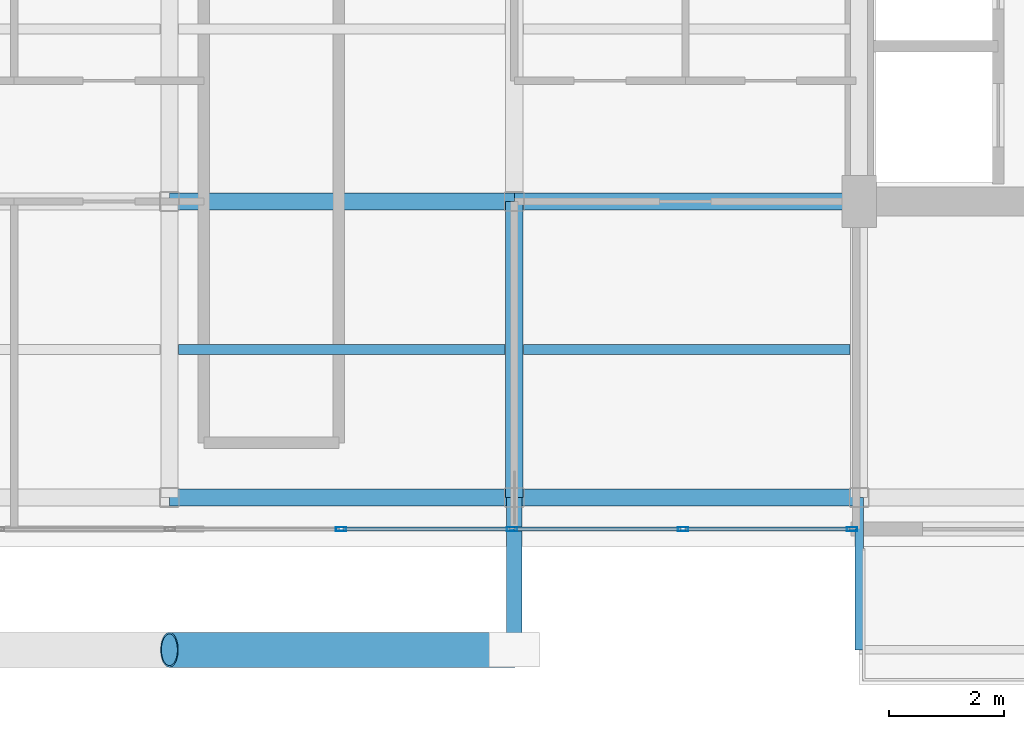
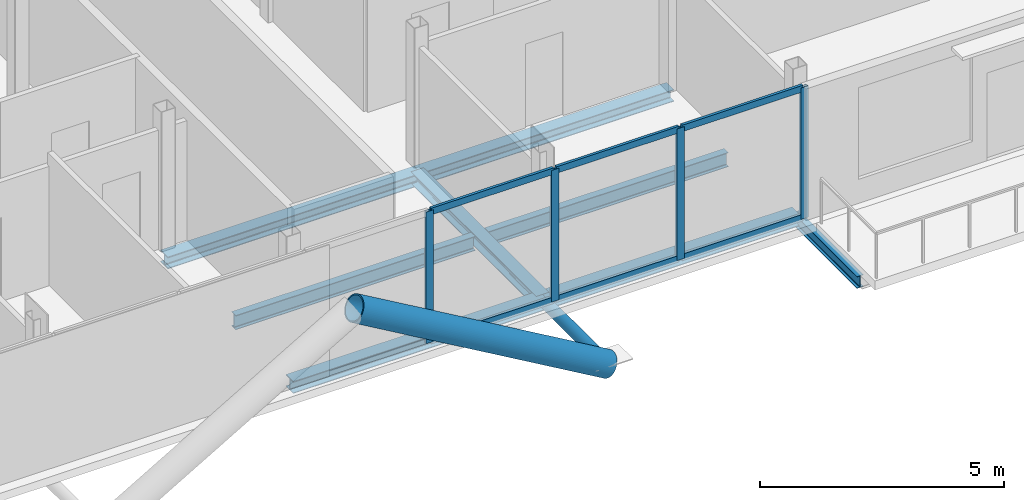
# One storey, part 5 of 19: 12 members, 8 beams, 1 element without a shape of its own.
"""IFC4 building model written with IfcOpenShell, lengths in metres."""

from ifc_helpers import new_model, si_unit, direction, frame, origin, origin_2d, place, context, subcontext, project, spatial, hollow_rectangle, hollow_circle, i_section, extrude, material, layer, layer_set, material_profile, profile_set, type_object, element, aggregate, save


model = new_model("IFC4")

# Units and contexts
model_context = context("Model", 3, precision=1e-05, world=origin(), true_north=direction((0.0, 1.0)))
body_context = subcontext(model_context, "Body", "Model", "MODEL_VIEW")
ifc_project = project(units=[si_unit("LENGTHUNIT", "METRE"), si_unit("AREAUNIT", "SQUARE_METRE"), si_unit("VOLUMEUNIT", "CUBIC_METRE"), si_unit("PLANEANGLEUNIT", "RADIAN"), si_unit("MASSUNIT", "GRAM", prefix="KILO"), si_unit("THERMODYNAMICTEMPERATUREUNIT", "KELVIN"), si_unit("POWERUNIT", "WATT")], contexts=[model_context])

# Site, building, storey
site_placement = place(None, origin())
site = spatial("IfcSite", under=ifc_project, at=site_placement, CompositionType="ELEMENT")
building_placement = place(site_placement, origin())
building = spatial("IfcBuilding", under=site, at=building_placement, Name="Svarakhadi Broadcast Tower", CompositionType="ELEMENT")
storey_placement = place(building_placement, frame((0.0, 0.0, 257.199951171875)))
storey = spatial("IfcBuildingStorey", under=building, at=storey_placement, Name="L64", CompositionType="ELEMENT", Elevation=257.199951171875)

# Beams
ifc_material_1 = material(Name="Steel S355J2 (IS 2062 E350C)", Category="steel")
ifc_material_profile_1 = material_profile(ifc_material_1, i_section(OverallWidth=0.169921875, OverallDepth=0.360107421875, WebThickness=0.008056640625, FlangeThickness=0.0126953125, FilletRadius=0.01806640625, at=origin_2d()), Name="NPB 360x170x57")
ifc_profile_set_1 = profile_set([ifc_material_profile_1], Name="Steel S355J2 (IS 2062 E350C)")
beam_type_1 = type_object("IfcBeamType", Name="Beam_NPB360", PredefinedType="BEAM", material=ifc_profile_set_1)
for number, where, z_axis, x_axis, name in (
    (1, (12.159912109375, 3.425048828125, -0.3798828125), (1.0, 0.0, 0.0), (0.0, 1.0, 0.0), "L64 Secondary Composite Beam SB007"),
    (2, (18.159912109375, 3.425048828125, -0.3798828125), (1.0, 0.0, 0.0), (0.0, 1.0, 0.0), "L64 Secondary Composite Beam SB010"),
):
    element("IfcBeam", number, at=place(storey_placement, frame(where, z_axis=z_axis, x_axis=x_axis)), inside=storey, type_object=beam_type_1, Name=name, PredefinedType="BEAM", context=body_context, shape_type="SweptSolid", body=[
        extrude(i_section(OverallWidth=0.169921875, OverallDepth=0.360107421875, WebThickness=0.008056640625, FlangeThickness=0.0126953125, FilletRadius=0.01806640625, at=origin_2d()), origin(), (0.0, 0.0, 1.0), 5.68017578125),
    ])

# Curtain wall, members
ifc_material_2 = material(Name="Anodised Bronze Aluminium AA 6063-T6", Category="aluminium")
ifc_layer = layer(ifc_material_2, 0.179931640625)
ifc_layer_set = layer_set([ifc_layer], Name="Anodised Bronze Aluminium AA 6063-T6")
curtain_wall_type = type_object("IfcCurtainWallType", Name="CW_Sys_05", PredefinedType="NOTDEFINED", material=ifc_layer_set)
curtain_wall_placement = place(storey_placement, origin())
curtain_wall = element("IfcCurtainWall", 3, at=curtain_wall_placement, inside=storey, type_object=curtain_wall_type, Name="L64 South Curtain Wall 15", PredefinedType="NOTDEFINED")
ifc_material_profile_2 = material_profile(ifc_material_2, hollow_rectangle(XDim=0.070068359375, YDim=0.179931640625, WallThickness=0.005615234375, at=origin_2d()), Name="ALU MULLION 180x70x6")
ifc_profile_set_2 = profile_set([ifc_material_profile_2], Name="Anodised Bronze Aluminium AA 6063-T6")
member_type_1 = type_object("IfcMemberType", Name="CW_Sys_05_Mul", PredefinedType="MULLION", material=ifc_profile_set_2)
member_1_placement = place(storey_placement, frame((23.875, 0.300048828125, 0.0), z_axis=(0.0, 0.0, 1.0), x_axis=(0.0, -1.0, 0.0)))
member_1 = element("IfcMember", 4, at=member_1_placement, type_object=member_type_1, Name="CW-05 mullion 1", PredefinedType="MULLION", context=body_context, shape_type="SweptSolid", body=[
    extrude(hollow_rectangle(XDim=0.070068359375, YDim=0.179931640625, WallThickness=0.005615234375, at=origin_2d()), origin(), (0.0, 0.0, 1.0), 3.300048828125),
])
member_2_placement = place(storey_placement, frame((20.935791015625, 0.300048828125, 0.0), z_axis=(0.0, 0.0, 1.0), x_axis=(0.0, -1.0, 0.0)))
member_2 = element("IfcMember", 5, at=member_2_placement, type_object=member_type_1, Name="CW-05 mullion 2", PredefinedType="MULLION", context=body_context, shape_type="SweptSolid", body=[
    extrude(hollow_rectangle(XDim=0.070068359375, YDim=0.179931640625, WallThickness=0.005615234375, at=origin_2d()), origin(), (0.0, 0.0, 1.0), 3.300048828125),
])
member_3_placement = place(storey_placement, frame((17.96142578125, 0.300048828125, 0.0), z_axis=(0.0, 0.0, 1.0), x_axis=(0.0, -1.0, 0.0)))
member_3 = element("IfcMember", 6, at=member_3_placement, type_object=member_type_1, Name="CW-05 mullion 3", PredefinedType="MULLION", context=body_context, shape_type="SweptSolid", body=[
    extrude(hollow_rectangle(XDim=0.070068359375, YDim=0.179931640625, WallThickness=0.005615234375, at=origin_2d()), origin(), (0.0, 0.0, 1.0), 3.300048828125),
])
member_4_placement = place(storey_placement, frame((14.987060546875, 0.300048828125, 0.0), z_axis=(0.0, 0.0, 1.0), x_axis=(0.0, -1.0, 0.0)))
member_4 = element("IfcMember", 7, at=member_4_placement, type_object=member_type_1, Name="CW-05 mullion 4", PredefinedType="MULLION", context=body_context, shape_type="SweptSolid", body=[
    extrude(hollow_rectangle(XDim=0.070068359375, YDim=0.179931640625, WallThickness=0.005615234375, at=origin_2d()), origin(), (0.0, 0.0, 1.0), 3.300048828125),
])
ifc_material_profile_3 = material_profile(ifc_material_2, hollow_rectangle(XDim=0.06494140625, YDim=0.1650390625, WallThickness=0.0048828125, at=origin_2d()), Name="ALU TRANSOM 165x65x5")
ifc_profile_set_3 = profile_set([ifc_material_profile_3], Name="Anodised Bronze Aluminium AA 6063-T6")
member_type_2 = type_object("IfcMemberType", Name="CW_Sys_05_Trn", PredefinedType="USERDEFINED", material=ifc_profile_set_3)
member_5_placement = place(storey_placement, frame((23.840087890625, 0.300048828125, 0.032470703125), z_axis=(-1.0, 0.0, 0.0), x_axis=(0.0, -1.0, 0.0)))
member_5 = element("IfcMember", 8, at=member_5_placement, type_object=member_type_2, Name="CW-05 transom 1.1", ObjectType="TRANSOM", PredefinedType="USERDEFINED", context=body_context, shape_type="SweptSolid", body=[
    extrude(hollow_rectangle(XDim=0.06494140625, YDim=0.1650390625, WallThickness=0.0048828125, at=origin_2d()), origin(), (0.0, 0.0, 1.0), 2.869384765625),
])
member_6_placement = place(storey_placement, frame((23.840087890625, 0.300048828125, 3.267578125), z_axis=(-1.0, 0.0, 0.0), x_axis=(0.0, -1.0, 0.0)))
member_6 = element("IfcMember", 9, at=member_6_placement, type_object=member_type_2, Name="CW-05 transom 1.2", ObjectType="TRANSOM", PredefinedType="USERDEFINED", context=body_context, shape_type="SweptSolid", body=[
    extrude(hollow_rectangle(XDim=0.06494140625, YDim=0.1650390625, WallThickness=0.0048828125, at=origin_2d()), origin(), (0.0, 0.0, 1.0), 2.869384765625),
])
member_7_placement = place(storey_placement, frame((20.900634765625, 0.300048828125, 0.032470703125), z_axis=(-1.0, 0.0, 0.0), x_axis=(0.0, -1.0, 0.0)))
member_7 = element("IfcMember", 10, at=member_7_placement, type_object=member_type_2, Name="CW-05 transom 2.1", ObjectType="TRANSOM", PredefinedType="USERDEFINED", context=body_context, shape_type="SweptSolid", body=[
    extrude(hollow_rectangle(XDim=0.06494140625, YDim=0.1650390625, WallThickness=0.0048828125, at=origin_2d()), origin(), (0.0, 0.0, 1.0), 2.904296875),
])
member_8_placement = place(storey_placement, frame((20.900634765625, 0.300048828125, 3.267578125), z_axis=(-1.0, 0.0, 0.0), x_axis=(0.0, -1.0, 0.0)))
member_8 = element("IfcMember", 11, at=member_8_placement, type_object=member_type_2, Name="CW-05 transom 2.2", ObjectType="TRANSOM", PredefinedType="USERDEFINED", context=body_context, shape_type="SweptSolid", body=[
    extrude(hollow_rectangle(XDim=0.06494140625, YDim=0.1650390625, WallThickness=0.0048828125, at=origin_2d()), origin(), (0.0, 0.0, 1.0), 2.904296875),
])
member_9_placement = place(storey_placement, frame((17.926513671875, 0.300048828125, 0.032470703125), z_axis=(-1.0, 0.0, 0.0), x_axis=(0.0, -1.0, 0.0)))
member_9 = element("IfcMember", 12, at=member_9_placement, type_object=member_type_2, Name="CW-05 transom 3.1", ObjectType="TRANSOM", PredefinedType="USERDEFINED", context=body_context, shape_type="SweptSolid", body=[
    extrude(hollow_rectangle(XDim=0.06494140625, YDim=0.1650390625, WallThickness=0.0048828125, at=origin_2d()), origin(), (0.0, 0.0, 1.0), 2.904296875),
])
member_10_placement = place(storey_placement, frame((17.926513671875, 0.300048828125, 3.267578125), z_axis=(-1.0, 0.0, 0.0), x_axis=(0.0, -1.0, 0.0)))
member_10 = element("IfcMember", 13, at=member_10_placement, type_object=member_type_2, Name="CW-05 transom 3.2", ObjectType="TRANSOM", PredefinedType="USERDEFINED", context=body_context, shape_type="SweptSolid", body=[
    extrude(hollow_rectangle(XDim=0.06494140625, YDim=0.1650390625, WallThickness=0.0048828125, at=origin_2d()), origin(), (0.0, 0.0, 1.0), 2.904296875),
])
aggregate(curtain_wall, [member_1, member_2, member_3, member_4, member_5, member_6, member_7, member_8, member_9, member_10])

# Members
ifc_material_3 = material(Name="Steel S460ML (IS 2062 E450BR)", Category="steel")
ifc_material_profile_4 = material_profile(ifc_material_3, hollow_circle(Radius=0.304931640625, WallThickness=0.030029296875, at=origin_2d()), Name="CHS 610x30")
ifc_profile_set_4 = profile_set([ifc_material_profile_4], Name="Steel S460ML (IS 2062 E450BR)")
member_type_3 = type_object("IfcMemberType", Name="Exo_Brace_CHS610", PredefinedType="BRACE", material=ifc_profile_set_4)
member_11_placement = place(storey_placement, frame((18.0, -1.800048828125, -0.33642578125), z_axis=(-0.863778900898, 0.0, 0.503871025524), x_axis=(0.0, -1.0, 0.0)))
element("IfcMember", 14, at=member_11_placement, inside=storey, type_object=member_type_3, Name="L64 Exposed Bronze Exoskeleton Diagonal S02", PredefinedType="BRACE", context=body_context, shape_type="SweptSolid", body=[
    extrude(hollow_circle(Radius=0.304931640625, WallThickness=0.030029296875, at=origin_2d()), origin(), (0.0, 0.0, 1.0), 6.9462890625),
])
ifc_material_profile_5 = material_profile(ifc_material_3, hollow_circle(Radius=0.136474609375, WallThickness=0.012451171875, at=origin_2d()), Name="CHS 273x12.5")
ifc_profile_set_5 = profile_set([ifc_material_profile_5], Name="Steel S460ML (IS 2062 E450BR)")
member_type_4 = type_object("IfcMemberType", Name="Exo_Radial_Strut_Z3", PredefinedType="STRUT", material=ifc_profile_set_5)
member_12_placement = place(storey_placement, frame((18.0, -1.800048828125, -0.33642578125), z_axis=(0.0, 1.0, 0.0), x_axis=(-1.0, 0.0, 0.0)))
element("IfcMember", 15, at=member_12_placement, inside=storey, type_object=member_type_4, Name="L64 Exoskeleton Radial Tie Strut S02", PredefinedType="STRUT", context=body_context, shape_type="SweptSolid", body=[
    extrude(hollow_circle(Radius=0.136474609375, WallThickness=0.012451171875, at=origin_2d()), origin(), (0.0, 0.0, 1.0), 2.650146484375),
])

# Beams
ifc_material_profile_6 = material_profile(ifc_material_1, i_section(OverallWidth=0.300048828125, OverallDepth=0.300048828125, WebThickness=0.010986328125, FlangeThickness=0.01904296875, FilletRadius=0.027099609375, at=origin_2d()), Name="WPB 300x300x117")
ifc_profile_set_6 = profile_set([ifc_material_profile_6], Name="Steel S355J2 (IS 2062 E350C)")
beam_type_2 = type_object("IfcBeamType", Name="Girder_WPB300", PredefinedType="USERDEFINED", material=ifc_profile_set_6)
for number, where, z_axis, x_axis, name in (
    (16, (12.0, 0.85009765625, -0.349853515625), (1.0, 0.0, 0.0), (0.0, 1.0, 0.0), "L64 Primary E-W Girder G005"),
    (17, (18.0, 0.85009765625, -0.349853515625), (1.0, 0.0, 0.0), (0.0, 1.0, 0.0), "L64 Primary E-W Girder G006"),
    (18, (12.0, 6.0, -0.349853515625), (1.0, 0.0, 0.0), (0.0, 1.0, 0.0), "L64 Primary E-W Girder G010"),
    (19, (18.0, 6.0, -0.349853515625), (1.0, 0.0, 0.0), (0.0, 1.0, 0.0), "L64 Primary E-W Girder G011"),
):
    element("IfcBeam", number, at=place(storey_placement, frame(where, z_axis=z_axis, x_axis=x_axis)), inside=storey, type_object=beam_type_2, Name=name, ObjectType="GIRDER", PredefinedType="USERDEFINED", context=body_context, shape_type="SweptSolid", body=[
        extrude(i_section(OverallWidth=0.300048828125, OverallDepth=0.300048828125, WebThickness=0.010986328125, FlangeThickness=0.01904296875, FilletRadius=0.027099609375, at=origin_2d()), origin(), (0.0, 0.0, 1.0), 6.0),
    ])
beam_1_placement = place(storey_placement, frame((18.0, 0.85009765625, -0.349853515625), z_axis=(0.0, 1.0, 0.0), x_axis=(-1.0, 0.0, 0.0)))
element("IfcBeam", 20, at=beam_1_placement, inside=storey, type_object=beam_type_2, Name="L64 Primary N-S Girder G036", ObjectType="GIRDER", PredefinedType="USERDEFINED", context=body_context, shape_type="SweptSolid", body=[
    extrude(i_section(OverallWidth=0.300048828125, OverallDepth=0.300048828125, WebThickness=0.010986328125, FlangeThickness=0.01904296875, FilletRadius=0.027099609375, at=origin_2d()), origin(), (0.0, 0.0, 1.0), 5.14990234375),
])
ifc_material_profile_7 = material_profile(ifc_material_1, i_section(OverallWidth=0.14990234375, OverallDepth=0.300048828125, WebThickness=0.007080078125, FlangeThickness=0.0107421875, FilletRadius=0.014892578125, at=origin_2d()), Name="NPB 300x150x37")
ifc_profile_set_7 = profile_set([ifc_material_profile_7], Name="Steel S355J2 (IS 2062 E350C)")
beam_type_3 = type_object("IfcBeamType", Name="Spandrel_NPB300", PredefinedType="SPANDREL", material=ifc_profile_set_7)
beam_2_placement = place(storey_placement, frame((24.0, 0.85009765625, -0.375), z_axis=(0.0, -1.0, 0.0), x_axis=(1.0, 0.0, 0.0)))
element("IfcBeam", 21, at=beam_2_placement, inside=storey, type_object=beam_type_3, Name="L64 Balcony Cantilever Bracket 1A", PredefinedType="SPANDREL", context=body_context, shape_type="SweptSolid", body=[
    extrude(i_section(OverallWidth=0.14990234375, OverallDepth=0.300048828125, WebThickness=0.007080078125, FlangeThickness=0.0107421875, FilletRadius=0.014892578125, at=origin_2d()), origin(), (0.0, 0.0, 1.0), 2.650146484375),
])

save(model, "model.ifc")
